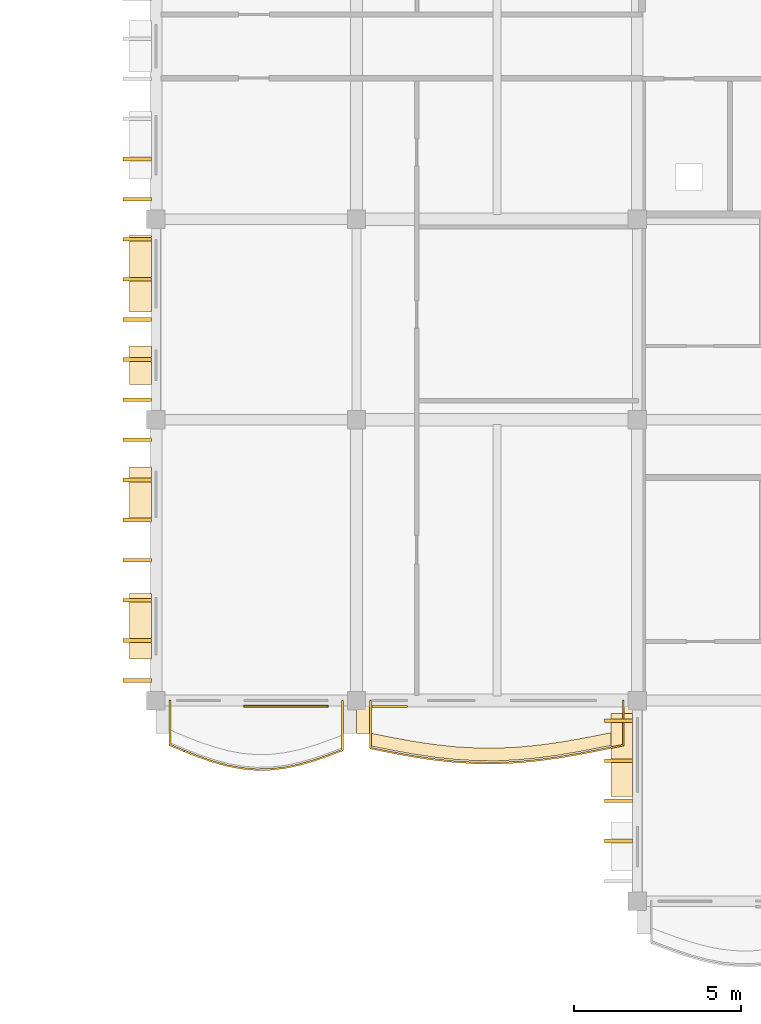
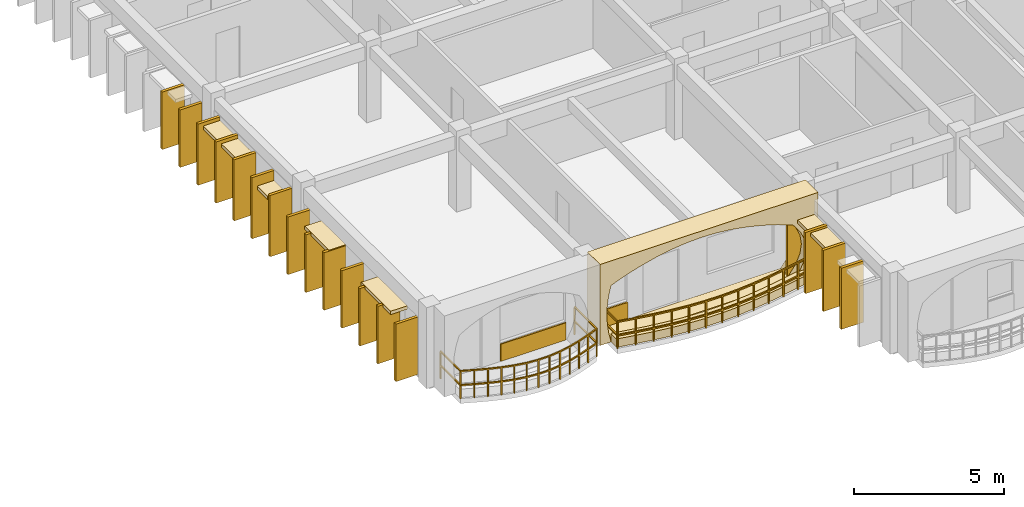
# One storey, part 61 of 70: 27 coverings, 2 railings.
"""IFC4 building model written with IfcOpenShell, lengths in metres."""

from ifc_helpers import new_model, si_unit, direction, frame, origin, origin_2d, place, context, subcontext, project, spatial, polyline, rectangle, outline, extrude, material, layer, layer_set, type_object, element, save


model = new_model("IFC4")

# Units and contexts
model_context = context("Model", 3, precision=1e-05, world=origin(), true_north=direction((0.0, 1.0)))
body_context = subcontext(model_context, "Body", "Model", "MODEL_VIEW")
ifc_project = project(units=[si_unit("LENGTHUNIT", "METRE"), si_unit("AREAUNIT", "SQUARE_METRE"), si_unit("VOLUMEUNIT", "CUBIC_METRE"), si_unit("PLANEANGLEUNIT", "RADIAN"), si_unit("MASSUNIT", "GRAM", prefix="KILO"), si_unit("THERMODYNAMICTEMPERATUREUNIT", "KELVIN")], contexts=[model_context])

# Site, building, storey
site_placement = place(None, origin())
site = spatial("IfcSite", under=ifc_project, at=site_placement, CompositionType="ELEMENT")
building_placement = place(site_placement, origin())
building = spatial("IfcBuilding", under=site, at=building_placement, Name="Thalorik Housing Commons", CompositionType="ELEMENT")
storey_placement = place(building_placement, frame((0.0, 0.0, 14.699951171875)))
storey = spatial("IfcBuildingStorey", under=building, at=storey_placement, Name="L04", CompositionType="ELEMENT", Elevation=14.699951171875)

# Coverings
ifc_material_1 = material(Name="Cobalt blue glazed ceramic facade tile panel", Category="masonry")
ifc_layer_1 = layer(ifc_material_1, 0.06005859375, Name="Cobalt blue glazed ceramic facade tile panel", Category="masonry")
ifc_layer_set_1 = layer_set([ifc_layer_1], Name="Cobalt blue glazed ceramic facade tile panel")
covering_type_1 = type_object("IfcCoveringType", Name="ARC-CLD-BLU-60", PredefinedType="CLADDING", material=ifc_layer_set_1)
covering_1_placement = place(storey_placement, frame((144.9951171875, 43.027587890625, 0.05029296875), z_axis=(0.0, 0.0, 1.0), x_axis=(1.0, 0.0, 0.0)))
element("IfcCovering", 1, at=covering_1_placement, inside=storey, type_object=covering_type_1, Name="L04 De Stijl Recessed Window Spandrel 4811", PredefinedType="CLADDING", context=body_context, shape_type="SweptSolid", body=[
    extrude(rectangle(XDim=1.050048828125, YDim=0.06005859375, at=origin_2d()), origin(), (0.0, 0.0, 1.0), 0.699951171875),
])
ifc_material_2 = material(Name="Precast concrete C40/50", Category="concrete")
ifc_layer_2 = layer(ifc_material_2, 0.85009765625, Name="Precast concrete C40/50", Category="concrete")
ifc_layer_set_2 = layer_set([ifc_layer_2], Name="Precast concrete C40/50")
covering_type_2 = type_object("IfcCoveringType", Name="ARC-CLD-CUSH-850", PredefinedType="CLADDING", material=ifc_layer_set_2)
covering_2_placement = place(storey_placement, frame((148.199951171875, 42.637451171875, 0.0), z_axis=(0.0, 0.0, 1.0), x_axis=(1.0, 0.0, 0.0)))
element("IfcCovering", 2, at=covering_2_placement, inside=storey, type_object=covering_type_2, Name="L04 White Precast Curved Cushion Bay Frame 4810", PredefinedType="CLADDING", context=body_context, shape_type="SweptSolid", body=[
    extrude(outline(polyline([(-4.199951171875, 0.0), (4.199951171875, 0.0), (4.199951171875, 3.300048828125), (-4.199951171875, 3.300048828125), (-4.199951171875, 0.0)]), holes=[polyline([(3.239990234375, 0.02490234375), (3.523193359375, 0.404296875), (3.693359375, 0.783203125), (3.75, 1.16259765625), (3.693359375, 1.541748046875), (3.523193359375, 1.9208984375), (3.239990234375, 2.300048828125), (2.655029296875, 2.525390625), (2.070068359375, 2.7021484375), (1.485107421875, 2.845458984375), (0.89990234375, 2.951904296875), (0.31494140625, 3.017822265625), (-0.27001953125, 3.0400390625), (-0.85498046875, 3.017822265625), (-1.43994140625, 2.951904296875), (-2.02490234375, 2.845458984375), (-2.610107421875, 2.7021484375), (-3.195068359375, 2.525390625), (-3.780029296875, 2.300048828125), (-3.86865234375, 1.9208984375), (-3.921875, 1.541748046875), (-3.939697265625, 1.16259765625), (-3.921875, 0.783203125), (-3.86865234375, 0.404296875), (-3.780029296875, 0.02490234375), (3.239990234375, 0.02490234375)])]), frame((0.0, 0.425048828125, 0.0), z_axis=(0.0, -1.0, 0.0), x_axis=(1.0, 0.0, 0.0)), (0.0, 0.0, 1.0), 0.85009765625),
])
ifc_layer_3 = layer(ifc_material_2, 0.85009765625, Name="Precast concrete C40/50", Category="concrete")
ifc_layer_set_3 = layer_set([ifc_layer_3], Name="Precast concrete C40/50")
covering_type_3 = type_object("IfcCoveringType", Name="ARC-CLD-FIN-850", PredefinedType="CLADDING", material=ifc_layer_set_3)
for number, where, z_axis, x_axis, name in (
    (3, (137.4375, 59.39990234375, 0.0400390625), (0.0, 0.0, 1.0), (0.0, -1.0, 0.0), "L04 Courtyard Precast Vertical Brise-Soleil Fin 4787"),
    (4, (137.4375, 58.199951171875, 0.0400390625), (0.0, 0.0, 1.0), (0.0, -1.0, 0.0), "L04 Courtyard Precast Vertical Brise-Soleil Fin 4788"),
):
    element("IfcCovering", number, at=place(storey_placement, frame(where, z_axis=z_axis, x_axis=x_axis)), inside=storey, type_object=covering_type_3, Name=name, PredefinedType="CLADDING", context=body_context, shape_type="SweptSolid", body=[
        extrude(rectangle(XDim=0.110107421875, YDim=0.85009765625, at=origin_2d()), origin(), (0.0, 0.0, 1.0), 2.344970703125),
    ])
for number, where, z_axis, x_axis, name in (
    (5, (137.4375, 57.0, 0.0400390625), (0.0, 0.0, 1.0), (0.0, -1.0, 0.0), "L04 Courtyard Precast Vertical Brise-Soleil Fin 4792"),
    (6, (137.4375, 55.800048828125, 0.0400390625), (0.0, 0.0, 1.0), (0.0, -1.0, 0.0), "L04 Courtyard Precast Vertical Brise-Soleil Fin 4793"),
    (7, (137.4375, 54.60009765625, 0.0400390625), (0.0, 0.0, 1.0), (0.0, -1.0, 0.0), "L04 Courtyard Precast Vertical Brise-Soleil Fin 4794"),
    (8, (137.4375, 53.39990234375, 0.0400390625), (0.0, 0.0, 1.0), (0.0, -1.0, 0.0), "L04 Courtyard Precast Vertical Brise-Soleil Fin 4795"),
    (9, (137.4375, 52.199951171875, 0.0400390625), (0.0, 0.0, 1.0), (0.0, -1.0, 0.0), "L04 Courtyard Precast Vertical Brise-Soleil Fin 4796"),
):
    element("IfcCovering", number, at=place(storey_placement, frame(where, z_axis=z_axis, x_axis=x_axis)), inside=storey, type_object=covering_type_3, Name=name, PredefinedType="CLADDING", context=body_context, shape_type="SweptSolid", body=[
        extrude(rectangle(XDim=0.110107421875, YDim=0.85009765625, at=origin_2d()), origin(), (0.0, 0.0, 1.0), 2.4951171875),
    ])
for number, where, z_axis, x_axis, name in (
    (10, (137.4375, 51.0, 0.0400390625), (0.0, 0.0, 1.0), (0.0, -1.0, 0.0), "L04 Courtyard Precast Vertical Brise-Soleil Fin 4799"),
    (11, (137.4375, 49.800048828125, 0.0400390625), (0.0, 0.0, 1.0), (0.0, -1.0, 0.0), "L04 Courtyard Precast Vertical Brise-Soleil Fin 4800"),
    (12, (137.4375, 48.60009765625, 0.0400390625), (0.0, 0.0, 1.0), (0.0, -1.0, 0.0), "L04 Courtyard Precast Vertical Brise-Soleil Fin 4801"),
    (13, (137.4375, 47.39990234375, 0.0400390625), (0.0, 0.0, 1.0), (0.0, -1.0, 0.0), "L04 Courtyard Precast Vertical Brise-Soleil Fin 4802"),
    (14, (137.4375, 46.199951171875, 0.0400390625), (0.0, 0.0, 1.0), (0.0, -1.0, 0.0), "L04 Courtyard Precast Vertical Brise-Soleil Fin 4803"),
    (15, (137.4375, 45.0, 0.0400390625), (0.0, 0.0, 1.0), (0.0, -1.0, 0.0), "L04 Courtyard Precast Vertical Brise-Soleil Fin 4804"),
    (16, (137.4375, 43.800048828125, 0.0400390625), (0.0, 0.0, 1.0), (0.0, -1.0, 0.0), "L04 Courtyard Precast Vertical Brise-Soleil Fin 4805"),
):
    element("IfcCovering", number, at=place(storey_placement, frame(where, z_axis=z_axis, x_axis=x_axis)), inside=storey, type_object=covering_type_3, Name=name, PredefinedType="CLADDING", context=body_context, shape_type="SweptSolid", body=[
        extrude(rectangle(XDim=0.110107421875, YDim=0.85009765625, at=origin_2d()), origin(), (0.0, 0.0, 1.0), 2.344970703125),
    ])
for number, where, z_axis, x_axis, name in (
    (17, (151.83740234375, 42.60009765625, 0.0400390625), (0.0, 0.0, 1.0), (0.0, -1.0, 0.0), "L04 Courtyard Precast Vertical Brise-Soleil Fin 4812"),
    (18, (151.83740234375, 41.39990234375, 0.0400390625), (0.0, 0.0, 1.0), (0.0, -1.0, 0.0), "L04 Courtyard Precast Vertical Brise-Soleil Fin 4813"),
    (19, (151.83740234375, 40.199951171875, 0.0400390625), (0.0, 0.0, 1.0), (0.0, -1.0, 0.0), "L04 Courtyard Precast Vertical Brise-Soleil Fin 4814"),
    (20, (151.83740234375, 39.0, 0.0400390625), (0.0, 0.0, 1.0), (0.0, -1.0, 0.0), "L04 Courtyard Precast Vertical Brise-Soleil Fin 4815"),
):
    element("IfcCovering", number, at=place(storey_placement, frame(where, z_axis=z_axis, x_axis=x_axis)), inside=storey, type_object=covering_type_3, Name=name, PredefinedType="CLADDING", context=body_context, shape_type="SweptSolid", body=[
        extrude(rectangle(XDim=0.110107421875, YDim=0.85009765625, at=origin_2d()), origin(), (0.0, 0.0, 1.0), 2.4951171875),
    ])
ifc_layer_4 = layer(ifc_material_2, 0.64990234375, Name="Precast concrete C40/50", Category="concrete")
ifc_layer_set_4 = layer_set([ifc_layer_4], Name="Precast concrete C40/50")
covering_type_4 = type_object("IfcCoveringType", Name="ARC-CLD-HOOD-650", PredefinedType="CLADDING", material=ifc_layer_set_4)
covering_3_placement = place(storey_placement, frame((137.53759765625, 55.969970703125, 2.25), z_axis=(0.0, 0.0, 1.0), x_axis=(0.0, -1.0, 0.0)))
element("IfcCovering", 21, at=covering_3_placement, inside=storey, type_object=covering_type_4, Name="L04 Courtyard Precast Window Sun-Hood 4797", PredefinedType="CLADDING", context=body_context, shape_type="SweptSolid", body=[
    extrude(rectangle(XDim=2.280029296875, YDim=0.64990234375, at=origin_2d()), origin(), (0.0, 0.0, 1.0), 0.139892578125),
])
covering_4_placement = place(storey_placement, frame((137.53759765625, 53.22998046875, 1.990234375), z_axis=(0.0, 0.0, 1.0), x_axis=(0.0, -1.0, 0.0)))
element("IfcCovering", 22, at=covering_4_placement, inside=storey, type_object=covering_type_4, Name="L04 Courtyard Precast Window Sun-Hood 4798", PredefinedType="CLADDING", context=body_context, shape_type="SweptSolid", body=[
    extrude(rectangle(XDim=1.139892578125, YDim=0.64990234375, at=origin_2d()), origin(), (0.0, 0.0, 1.0), 0.139892578125),
])
covering_5_placement = place(storey_placement, frame((137.53759765625, 49.3701171875, 2.27001953125), z_axis=(0.0, 0.0, 1.0), x_axis=(0.0, -1.0, 0.0)))
element("IfcCovering", 23, at=covering_5_placement, inside=storey, type_object=covering_type_4, Name="L04 Courtyard Precast Window Sun-Hood 4806", PredefinedType="CLADDING", context=body_context, shape_type="SweptSolid", body=[
    extrude(rectangle(XDim=1.6201171875, YDim=0.64990234375, at=origin_2d()), origin(), (0.0, 0.0, 1.0), 0.139892578125),
])
covering_6_placement = place(storey_placement, frame((137.53759765625, 45.429931640625, 2.27490234375), z_axis=(0.0, 0.0, 1.0), x_axis=(0.0, -1.0, 0.0)))
element("IfcCovering", 24, at=covering_6_placement, inside=storey, type_object=covering_type_4, Name="L04 Courtyard Precast Window Sun-Hood 4807", PredefinedType="CLADDING", context=body_context, shape_type="SweptSolid", body=[
    extrude(rectangle(XDim=1.9599609375, YDim=0.64990234375, at=origin_2d()), origin(), (0.0, 0.0, 1.0), 0.139892578125),
])
covering_7_placement = place(storey_placement, frame((151.9375, 41.570068359375, 2.31005859375), z_axis=(0.0, 0.0, 1.0), x_axis=(0.0, -1.0, 0.0)))
element("IfcCovering", 25, at=covering_7_placement, inside=storey, type_object=covering_type_4, Name="L04 Courtyard Precast Window Sun-Hood 4817", PredefinedType="CLADDING", context=body_context, shape_type="SweptSolid", body=[
    extrude(rectangle(XDim=2.47998046875, YDim=0.64990234375, at=origin_2d()), origin(), (0.0, 0.0, 1.0), 0.139892578125),
])
ifc_material_3 = material(Name="Terracotta red mineral fibre-cement panel", Category="masonry")
ifc_layer_5 = layer(ifc_material_3, 0.054931640625, Name="Terracotta red mineral fibre-cement panel", Category="masonry")
ifc_layer_set_5 = layer_set([ifc_layer_5], Name="Terracotta red mineral fibre-cement panel")
covering_type_5 = type_object("IfcCoveringType", Name="ARC-CLD-RED-55", PredefinedType="CLADDING", material=ifc_layer_set_5)
covering_8_placement = place(storey_placement, frame((141.889892578125, 43.030029296875, 0.05029296875), z_axis=(0.0, 0.0, 1.0), x_axis=(1.0, 0.0, 0.0)))
element("IfcCovering", 26, at=covering_8_placement, inside=storey, type_object=covering_type_5, Name="L04 De Stijl Recessed Window Spandrel 4809", PredefinedType="CLADDING", context=body_context, shape_type="SweptSolid", body=[
    extrude(rectangle(XDim=2.52001953125, YDim=0.054931640625, at=origin_2d()), origin(), (0.0, 0.0, 1.0), 0.699951171875),
])
ifc_material_4 = material(Name="Planted vegetated substrate and terracotta trough", Category="masonry")
ifc_layer_6 = layer(ifc_material_4, 0.340087890625, Name="Planted vegetated substrate and terracotta trough", Category="masonry")
ifc_layer_set_6 = layer_set([ifc_layer_6], Name="Planted vegetated substrate and terracotta trough")
covering_type_6 = type_object("IfcCoveringType", Name="ARC-COV-PLANTER", PredefinedType="USERDEFINED", material=ifc_layer_set_6)
covering_9_placement = place(storey_placement, origin())
element("IfcCovering", 27, at=covering_9_placement, inside=storey, type_object=covering_type_6, Name="L04 Balcony Slab-Edge Planted Trough 5674", ObjectType="PLANTER", PredefinedType="USERDEFINED", context=body_context, shape_type="SweptSolid", body=[
    extrude(outline(polyline([(144.419921875, 41.846923828125), (145.050048828125, 41.719482421875), (145.679931640625, 41.604248046875), (146.31005859375, 41.509521484375), (146.93994140625, 41.44091796875), (147.570068359375, 41.4033203125), (148.199951171875, 41.39892578125), (148.830078125, 41.427978515625), (149.4599609375, 41.488525390625), (150.090087890625, 41.576416015625), (150.719970703125, 41.685546875), (151.35009765625, 41.80859375), (151.97998046875, 41.937744140625), (151.97998046875, 42.31787109375), (151.35009765625, 42.188720703125), (150.719970703125, 42.0654296875), (150.090087890625, 41.956298828125), (149.4599609375, 41.868408203125), (148.830078125, 41.80810546875), (148.199951171875, 41.77880859375), (147.570068359375, 41.783203125), (146.93994140625, 41.82080078125), (146.31005859375, 41.889404296875), (145.679931640625, 41.984375), (145.050048828125, 42.099365234375), (144.419921875, 42.22705078125), (144.419921875, 41.846923828125)])), origin(), (0.0, 0.0, 1.0), 0.340087890625),
])

# Railings
ifc_material_5 = material(Name="Steel S355", Category="steel")
railing_type_1 = type_object("IfcRailingType", Name="ARC-RL-BAL-112", PredefinedType="BALUSTRADE", material=ifc_material_5)
railing_1_placement = place(storey_placement, frame((144.419921875, 43.199951171875, 0.0)))
element("IfcRailing", 28, at=railing_1_placement, inside=storey, type_object=railing_type_1, Name="L04 Cushion Balcony Guardrail 358", PredefinedType="BALUSTRADE", context=body_context, shape_type="SweptSolid", body=[
    extrude(rectangle(XDim=0.050048828125, YDim=0.050048828125, at=origin_2d()), frame((0.0, 0.0, 1.09521484375), z_axis=(0.0, -1.0, 0.0), x_axis=(1.0, 0.0, 0.0)), (0.0, 0.0, 1.0), 1.4228515625),
    extrude(rectangle(XDim=0.050048828125, YDim=0.050048828125, at=origin_2d()), frame((0.0, 0.0, 0.53515625), z_axis=(0.0, -1.0, 0.0), x_axis=(1.0, 0.0, 0.0)), (0.0, 0.0, 1.0), 1.4228515625),
    extrude(rectangle(XDim=0.050048828125, YDim=0.050048828125, at=origin_2d()), frame((0.0, -1.4228515625, 1.09521484375), z_axis=(0.980080963484, -0.198598350989, 0.0), x_axis=(0.198598350989, 0.980080963484, 0.0)), (0.0, 0.0, 1.0), 0.642822265625),
    extrude(rectangle(XDim=0.050048828125, YDim=0.050048828125, at=origin_2d()), frame((0.0, -1.4228515625, 0.53515625), z_axis=(0.980080963484, -0.198598350989, 0.0), x_axis=(0.198598350989, 0.980080963484, 0.0)), (0.0, 0.0, 1.0), 0.642822265625),
    extrude(rectangle(XDim=0.050048828125, YDim=0.050048828125, at=origin_2d()), frame((0.630126953125, -1.550537109375, 1.09521484375), z_axis=(0.983674114538, -0.179958985295, 0.0), x_axis=(0.179958985295, 0.983674114538, 0.0)), (0.0, 0.0, 1.0), 0.640380859375),
    extrude(rectangle(XDim=0.050048828125, YDim=0.050048828125, at=origin_2d()), frame((0.630126953125, -1.550537109375, 0.53515625), z_axis=(0.983674114538, -0.179958985295, 0.0), x_axis=(0.179958985295, 0.983674114538, 0.0)), (0.0, 0.0, 1.0), 0.640380859375),
    extrude(rectangle(XDim=0.050048828125, YDim=0.050048828125, at=origin_2d()), frame((1.260009765625, -1.665771484375, 1.09521484375), z_axis=(0.988888525973, -0.148658949274, 0.0), x_axis=(0.148658949274, 0.988888525973, 0.0)), (0.0, 0.0, 1.0), 0.63720703125),
    extrude(rectangle(XDim=0.050048828125, YDim=0.050048828125, at=origin_2d()), frame((1.260009765625, -1.665771484375, 0.53515625), z_axis=(0.988888525973, -0.148658949274, 0.0), x_axis=(0.148658949274, 0.988888525973, 0.0)), (0.0, 0.0, 1.0), 0.63720703125),
    extrude(rectangle(XDim=0.050048828125, YDim=0.050048828125, at=origin_2d()), frame((1.89013671875, -1.760498046875, 1.09521484375), z_axis=(0.994121043518, -0.108274423732, 0.0), x_axis=(0.108274423732, 0.994121043518, 0.0)), (0.0, 0.0, 1.0), 0.633544921875),
    extrude(rectangle(XDim=0.050048828125, YDim=0.050048828125, at=origin_2d()), frame((1.89013671875, -1.760498046875, 0.53515625), z_axis=(0.994121043518, -0.108274423732, 0.0), x_axis=(0.108274423732, 0.994121043518, 0.0)), (0.0, 0.0, 1.0), 0.633544921875),
    extrude(rectangle(XDim=0.050048828125, YDim=0.050048828125, at=origin_2d()), frame((2.52001953125, -1.8291015625, 1.09521484375), z_axis=(0.998224675619, -0.059560867898, 0.0), x_axis=(0.059560867898, 0.998224675619, 0.0)), (0.0, 0.0, 1.0), 0.63134765625),
    extrude(rectangle(XDim=0.050048828125, YDim=0.050048828125, at=origin_2d()), frame((2.52001953125, -1.8291015625, 0.53515625), z_axis=(0.998224675619, -0.059560867898, 0.0), x_axis=(0.059560867898, 0.998224675619, 0.0)), (0.0, 0.0, 1.0), 0.63134765625),
    extrude(rectangle(XDim=0.050048828125, YDim=0.050048828125, at=origin_2d()), frame((3.150146484375, -1.86669921875, 1.09521484375), z_axis=(0.999975663409, -0.006976574396, 0.0), x_axis=(0.006976574396, 0.999975663409, 0.0)), (0.0, 0.0, 1.0), 0.6298828125),
    extrude(rectangle(XDim=0.050048828125, YDim=0.050048828125, at=origin_2d()), frame((3.150146484375, -1.86669921875, 0.53515625), z_axis=(0.999975663409, -0.006976574396, 0.0), x_axis=(0.006976574396, 0.999975663409, 0.0)), (0.0, 0.0, 1.0), 0.6298828125),
    extrude(rectangle(XDim=0.050048828125, YDim=0.050048828125, at=origin_2d()), frame((3.780029296875, -1.87109375, 1.09521484375), z_axis=(0.99893880259, 0.046057232665, 0.0), x_axis=(-0.046057232665, 0.99893880259, 0.0)), (0.0, 0.0, 1.0), 0.630859375),
    extrude(rectangle(XDim=0.050048828125, YDim=0.050048828125, at=origin_2d()), frame((3.780029296875, -1.87109375, 0.53515625), z_axis=(0.99893880259, 0.046057232665, 0.0), x_axis=(-0.046057232665, 0.99893880259, 0.0)), (0.0, 0.0, 1.0), 0.630859375),
    extrude(rectangle(XDim=0.050048828125, YDim=0.050048828125, at=origin_2d()), frame((4.41015625, -1.842041015625, 1.09521484375), z_axis=(0.995411856211, 0.095683000132, 0.0), x_axis=(-0.095683000132, 0.995411856211, 0.0)), (0.0, 0.0, 1.0), 0.6328125),
    extrude(rectangle(XDim=0.050048828125, YDim=0.050048828125, at=origin_2d()), frame((4.41015625, -1.842041015625, 0.53515625), z_axis=(0.995411856211, 0.095683000132, 0.0), x_axis=(-0.095683000132, 0.995411856211, 0.0)), (0.0, 0.0, 1.0), 0.6328125),
    extrude(rectangle(XDim=0.050048828125, YDim=0.050048828125, at=origin_2d()), frame((5.0400390625, -1.781494140625, 1.09521484375), z_axis=(0.990412222541, 0.138143510312, 0.0), x_axis=(-0.138143510312, 0.990412222541, 0.0)), (0.0, 0.0, 1.0), 0.63623046875),
    extrude(rectangle(XDim=0.050048828125, YDim=0.050048828125, at=origin_2d()), frame((5.0400390625, -1.781494140625, 0.53515625), z_axis=(0.990412222541, 0.138143510312, 0.0), x_axis=(-0.138143510312, 0.990412222541, 0.0)), (0.0, 0.0, 1.0), 0.63623046875),
    extrude(rectangle(XDim=0.050048828125, YDim=0.050048828125, at=origin_2d()), frame((5.670166015625, -1.693603515625, 1.09521484375), z_axis=(0.985320870893, 0.170712569492, 0.0), x_axis=(-0.170712569492, 0.985320870893, 0.0)), (0.0, 0.0, 1.0), 0.63916015625),
    extrude(rectangle(XDim=0.050048828125, YDim=0.050048828125, at=origin_2d()), frame((5.670166015625, -1.693603515625, 0.53515625), z_axis=(0.985320870893, 0.170712569492, 0.0), x_axis=(-0.170712569492, 0.985320870893, 0.0)), (0.0, 0.0, 1.0), 0.63916015625),
    extrude(rectangle(XDim=0.050048828125, YDim=0.050048828125, at=origin_2d()), frame((6.300048828125, -1.58447265625, 1.09521484375), z_axis=(0.98139109719, 0.192019567641, 0.0), x_axis=(-0.192019567641, 0.98139109719, 0.0)), (0.0, 0.0, 1.0), 0.64208984375),
    extrude(rectangle(XDim=0.050048828125, YDim=0.050048828125, at=origin_2d()), frame((6.300048828125, -1.58447265625, 0.53515625), z_axis=(0.98139109719, 0.192019567641, 0.0), x_axis=(-0.192019567641, 0.98139109719, 0.0)), (0.0, 0.0, 1.0), 0.64208984375),
    extrude(rectangle(XDim=0.050048828125, YDim=0.050048828125, at=origin_2d()), frame((6.93017578125, -1.461181640625, 1.09521484375), z_axis=(0.979619945128, 0.200860058517, 0.0), x_axis=(-0.200860058517, 0.979619945128, 0.0)), (0.0, 0.0, 1.0), 0.64306640625),
    extrude(rectangle(XDim=0.050048828125, YDim=0.050048828125, at=origin_2d()), frame((6.93017578125, -1.461181640625, 0.53515625), z_axis=(0.979619945128, 0.200860058517, 0.0), x_axis=(-0.200860058517, 0.979619945128, 0.0)), (0.0, 0.0, 1.0), 0.64306640625),
    extrude(rectangle(XDim=0.050048828125, YDim=0.050048828125, at=origin_2d()), frame((7.56005859375, -1.33203125, 1.09521484375), z_axis=(0.0, 1.0, 0.0), x_axis=(-1.0, 0.0, 0.0)), (0.0, 0.0, 1.0), 1.33203125),
    extrude(rectangle(XDim=0.050048828125, YDim=0.050048828125, at=origin_2d()), frame((7.56005859375, -1.33203125, 0.53515625), z_axis=(0.0, 1.0, 0.0), x_axis=(-1.0, 0.0, 0.0)), (0.0, 0.0, 1.0), 1.33203125),
    extrude(rectangle(XDim=0.0419921875, YDim=0.0419921875, at=origin_2d()), origin(), (0.0, 0.0, 1.0), 1.070068359375),
    extrude(rectangle(XDim=0.0419921875, YDim=0.0419921875, at=origin_2d()), frame((0.0, -1.4228515625, 0.0)), (0.0, 0.0, 1.0), 1.070068359375),
    extrude(rectangle(XDim=0.0419921875, YDim=0.0419921875, at=origin_2d()), frame((0.630126953125, -1.550537109375, 0.0)), (0.0, 0.0, 1.0), 1.070068359375),
    extrude(rectangle(XDim=0.0419921875, YDim=0.0419921875, at=origin_2d()), frame((1.260009765625, -1.665771484375, 0.0)), (0.0, 0.0, 1.0), 1.070068359375),
    extrude(rectangle(XDim=0.0419921875, YDim=0.0419921875, at=origin_2d()), frame((1.89013671875, -1.760498046875, 0.0)), (0.0, 0.0, 1.0), 1.070068359375),
    extrude(rectangle(XDim=0.0419921875, YDim=0.0419921875, at=origin_2d()), frame((2.52001953125, -1.8291015625, 0.0)), (0.0, 0.0, 1.0), 1.070068359375),
    extrude(rectangle(XDim=0.0419921875, YDim=0.0419921875, at=origin_2d()), frame((3.150146484375, -1.86669921875, 0.0)), (0.0, 0.0, 1.0), 1.070068359375),
    extrude(rectangle(XDim=0.0419921875, YDim=0.0419921875, at=origin_2d()), frame((3.780029296875, -1.87109375, 0.0)), (0.0, 0.0, 1.0), 1.070068359375),
    extrude(rectangle(XDim=0.0419921875, YDim=0.0419921875, at=origin_2d()), frame((4.41015625, -1.842041015625, 0.0)), (0.0, 0.0, 1.0), 1.070068359375),
    extrude(rectangle(XDim=0.0419921875, YDim=0.0419921875, at=origin_2d()), frame((5.0400390625, -1.781494140625, 0.0)), (0.0, 0.0, 1.0), 1.070068359375),
    extrude(rectangle(XDim=0.0419921875, YDim=0.0419921875, at=origin_2d()), frame((5.670166015625, -1.693603515625, 0.0)), (0.0, 0.0, 1.0), 1.070068359375),
    extrude(rectangle(XDim=0.0419921875, YDim=0.0419921875, at=origin_2d()), frame((6.300048828125, -1.58447265625, 0.0)), (0.0, 0.0, 1.0), 1.070068359375),
    extrude(rectangle(XDim=0.0419921875, YDim=0.0419921875, at=origin_2d()), frame((6.93017578125, -1.461181640625, 0.0)), (0.0, 0.0, 1.0), 1.070068359375),
    extrude(rectangle(XDim=0.0419921875, YDim=0.0419921875, at=origin_2d()), frame((7.56005859375, -1.33203125, 0.0)), (0.0, 0.0, 1.0), 1.070068359375),
    extrude(rectangle(XDim=0.0419921875, YDim=0.0419921875, at=origin_2d()), frame((7.56005859375, 0.0, 0.0)), (0.0, 0.0, 1.0), 1.070068359375),
])
railing_type_2 = type_object("IfcRailingType", Name="ARC-RL-BAL-115", PredefinedType="BALUSTRADE", material=ifc_material_5)
railing_2_placement = place(storey_placement, frame((138.419921875, 43.199951171875, 0.0)))
element("IfcRailing", 29, at=railing_2_placement, inside=storey, type_object=railing_type_2, Name="L04 Cushion Balcony Guardrail 357", PredefinedType="BALUSTRADE", context=body_context, shape_type="SweptSolid", body=[
    extrude(rectangle(XDim=0.050048828125, YDim=0.050048828125, at=origin_2d()), frame((0.0, 0.0, 1.125), z_axis=(0.0, -1.0, 0.0), x_axis=(1.0, 0.0, 0.0)), (0.0, 0.0, 1.0), 1.329345703125),
    extrude(rectangle(XDim=0.050048828125, YDim=0.050048828125, at=origin_2d()), frame((0.0, 0.0, 0.5498046875), z_axis=(0.0, -1.0, 0.0), x_axis=(1.0, 0.0, 0.0)), (0.0, 0.0, 1.0), 1.329345703125),
    extrude(rectangle(XDim=0.050048828125, YDim=0.050048828125, at=origin_2d()), frame((0.0, -1.329345703125, 1.125), z_axis=(0.922549378701, -0.385879053407, 0.0), x_axis=(0.385879053407, 0.922549378701, 0.0)), (0.0, 0.0, 1.0), 0.46630859375),
    extrude(rectangle(XDim=0.050048828125, YDim=0.050048828125, at=origin_2d()), frame((0.0, -1.329345703125, 0.5498046875), z_axis=(0.922549378701, -0.385879053407, 0.0), x_axis=(0.385879053407, 0.922549378701, 0.0)), (0.0, 0.0, 1.0), 0.46630859375),
    extrude(rectangle(XDim=0.050048828125, YDim=0.050048828125, at=origin_2d()), frame((0.43017578125, -1.50927734375, 1.125), z_axis=(0.929998507848, -0.367563294414, 0.0), x_axis=(0.367563294414, 0.929998507848, 0.0)), (0.0, 0.0, 1.0), 0.46240234375),
    extrude(rectangle(XDim=0.050048828125, YDim=0.050048828125, at=origin_2d()), frame((0.43017578125, -1.50927734375, 0.5498046875), z_axis=(0.929998507848, -0.367563294414, 0.0), x_axis=(0.367563294414, 0.929998507848, 0.0)), (0.0, 0.0, 1.0), 0.46240234375),
    extrude(rectangle(XDim=0.050048828125, YDim=0.050048828125, at=origin_2d()), frame((0.860107421875, -1.67919921875, 1.125), z_axis=(0.945081740918, -0.326834060317, 0.0), x_axis=(0.326834060317, 0.945081740918, 0.0)), (0.0, 0.0, 1.0), 0.454833984375),
    extrude(rectangle(XDim=0.050048828125, YDim=0.050048828125, at=origin_2d()), frame((0.860107421875, -1.67919921875, 0.5498046875), z_axis=(0.945081740918, -0.326834060317, 0.0), x_axis=(0.326834060317, 0.945081740918, 0.0)), (0.0, 0.0, 1.0), 0.454833984375),
    extrude(rectangle(XDim=0.050048828125, YDim=0.050048828125, at=origin_2d()), frame((1.2900390625, -1.827880859375, 1.125), z_axis=(0.963963579326, -0.266034241654, 0.0), x_axis=(0.266034241654, 0.963963579326, 0.0)), (0.0, 0.0, 1.0), 0.446044921875),
    extrude(rectangle(XDim=0.050048828125, YDim=0.050048828125, at=origin_2d()), frame((1.2900390625, -1.827880859375, 0.5498046875), z_axis=(0.963963579326, -0.266034241654, 0.0), x_axis=(0.266034241654, 0.963963579326, 0.0)), (0.0, 0.0, 1.0), 0.446044921875),
    extrude(rectangle(XDim=0.050048828125, YDim=0.050048828125, at=origin_2d()), frame((1.719970703125, -1.946533203125, 1.125), z_axis=(0.982910057023, -0.184086446548, 0.0), x_axis=(0.184086446548, 0.982910057023, 0.0)), (0.0, 0.0, 1.0), 0.437744140625),
    extrude(rectangle(XDim=0.050048828125, YDim=0.050048828125, at=origin_2d()), frame((1.719970703125, -1.946533203125, 0.5498046875), z_axis=(0.982910057023, -0.184086446548, 0.0), x_axis=(0.184086446548, 0.982910057023, 0.0)), (0.0, 0.0, 1.0), 0.437744140625),
    extrude(rectangle(XDim=0.050048828125, YDim=0.050048828125, at=origin_2d()), frame((2.150146484375, -2.027099609375, 1.125), z_axis=(0.996148763572, -0.087679192705, 0.0), x_axis=(0.087679192705, 0.996148763572, 0.0)), (0.0, 0.0, 1.0), 0.431640625),
    extrude(rectangle(XDim=0.050048828125, YDim=0.050048828125, at=origin_2d()), frame((2.150146484375, -2.027099609375, 0.5498046875), z_axis=(0.996148763572, -0.087679192705, 0.0), x_axis=(0.087679192705, 0.996148763572, 0.0)), (0.0, 0.0, 1.0), 0.431640625),
    extrude(rectangle(XDim=0.050048828125, YDim=0.050048828125, at=origin_2d()), frame((2.580078125, -2.06494140625, 1.125), z_axis=(0.999882482577, 0.015330395815, 0.0), x_axis=(-0.015330395815, 0.999882482577, 0.0)), (0.0, 0.0, 1.0), 0.429931640625),
    extrude(rectangle(XDim=0.050048828125, YDim=0.050048828125, at=origin_2d()), frame((2.580078125, -2.06494140625, 0.5498046875), z_axis=(0.999882482577, 0.015330395815, 0.0), x_axis=(-0.015330395815, 0.999882482577, 0.0)), (0.0, 0.0, 1.0), 0.429931640625),
    extrude(rectangle(XDim=0.050048828125, YDim=0.050048828125, at=origin_2d()), frame((3.010009765625, -2.058349609375, 1.125), z_axis=(0.993234994494, 0.116121684941, 0.0), x_axis=(-0.116121684941, 0.993234994494, 0.0)), (0.0, 0.0, 1.0), 0.43310546875),
    extrude(rectangle(XDim=0.050048828125, YDim=0.050048828125, at=origin_2d()), frame((3.010009765625, -2.058349609375, 0.5498046875), z_axis=(0.993234994494, 0.116121684941, 0.0), x_axis=(-0.116121684941, 0.993234994494, 0.0)), (0.0, 0.0, 1.0), 0.43310546875),
    extrude(rectangle(XDim=0.050048828125, YDim=0.050048828125, at=origin_2d()), frame((3.440185546875, -2.008056640625, 1.125), z_axis=(0.978632254484, 0.205618361249, 0.0), x_axis=(-0.205618361249, 0.978632254484, 0.0)), (0.0, 0.0, 1.0), 0.439208984375),
    extrude(rectangle(XDim=0.050048828125, YDim=0.050048828125, at=origin_2d()), frame((3.440185546875, -2.008056640625, 0.5498046875), z_axis=(0.978632254484, 0.205618361249, 0.0), x_axis=(-0.205618361249, 0.978632254484, 0.0)), (0.0, 0.0, 1.0), 0.439208984375),
    extrude(rectangle(XDim=0.050048828125, YDim=0.050048828125, at=origin_2d()), frame((3.8701171875, -1.917724609375, 1.125), z_axis=(0.960965989037, 0.27666652836, 0.0), x_axis=(-0.27666652836, 0.960965989037, 0.0)), (0.0, 0.0, 1.0), 0.447509765625),
    extrude(rectangle(XDim=0.050048828125, YDim=0.050048828125, at=origin_2d()), frame((3.8701171875, -1.917724609375, 0.5498046875), z_axis=(0.960965989037, 0.27666652836, 0.0), x_axis=(-0.27666652836, 0.960965989037, 0.0)), (0.0, 0.0, 1.0), 0.447509765625),
    extrude(rectangle(XDim=0.050048828125, YDim=0.050048828125, at=origin_2d()), frame((4.300048828125, -1.7939453125, 1.125), z_axis=(0.944915878201, 0.327313279786, 0.0), x_axis=(-0.327313279786, 0.944915878201, 0.0)), (0.0, 0.0, 1.0), 0.455078125),
    extrude(rectangle(XDim=0.050048828125, YDim=0.050048828125, at=origin_2d()), frame((4.300048828125, -1.7939453125, 0.5498046875), z_axis=(0.944915878201, 0.327313279786, 0.0), x_axis=(-0.327313279786, 0.944915878201, 0.0)), (0.0, 0.0, 1.0), 0.455078125),
    extrude(rectangle(XDim=0.050048828125, YDim=0.050048828125, at=origin_2d()), frame((4.72998046875, -1.64501953125, 1.125), z_axis=(0.934529738727, 0.355885048062, 0.0), x_axis=(-0.355885048062, 0.934529738727, 0.0)), (0.0, 0.0, 1.0), 0.460205078125),
    extrude(rectangle(XDim=0.050048828125, YDim=0.050048828125, at=origin_2d()), frame((4.72998046875, -1.64501953125, 0.5498046875), z_axis=(0.934529738727, 0.355885048062, 0.0), x_axis=(-0.355885048062, 0.934529738727, 0.0)), (0.0, 0.0, 1.0), 0.460205078125),
    extrude(rectangle(XDim=0.050048828125, YDim=0.050048828125, at=origin_2d()), frame((5.16015625, -1.481201171875, 1.125), z_axis=(0.0, 1.0, 0.0), x_axis=(-1.0, 0.0, 0.0)), (0.0, 0.0, 1.0), 1.481201171875),
    extrude(rectangle(XDim=0.050048828125, YDim=0.050048828125, at=origin_2d()), frame((5.16015625, -1.481201171875, 0.5498046875), z_axis=(0.0, 1.0, 0.0), x_axis=(-1.0, 0.0, 0.0)), (0.0, 0.0, 1.0), 1.481201171875),
    extrude(rectangle(XDim=0.0419921875, YDim=0.0419921875, at=origin_2d()), origin(), (0.0, 0.0, 1.0), 1.099853515625),
    extrude(rectangle(XDim=0.0419921875, YDim=0.0419921875, at=origin_2d()), frame((0.0, -1.329345703125, 0.0)), (0.0, 0.0, 1.0), 1.099853515625),
    extrude(rectangle(XDim=0.0419921875, YDim=0.0419921875, at=origin_2d()), frame((0.43017578125, -1.50927734375, 0.0)), (0.0, 0.0, 1.0), 1.099853515625),
    extrude(rectangle(XDim=0.0419921875, YDim=0.0419921875, at=origin_2d()), frame((0.860107421875, -1.67919921875, 0.0)), (0.0, 0.0, 1.0), 1.099853515625),
    extrude(rectangle(XDim=0.0419921875, YDim=0.0419921875, at=origin_2d()), frame((1.2900390625, -1.827880859375, 0.0)), (0.0, 0.0, 1.0), 1.099853515625),
    extrude(rectangle(XDim=0.0419921875, YDim=0.0419921875, at=origin_2d()), frame((1.719970703125, -1.946533203125, 0.0)), (0.0, 0.0, 1.0), 1.099853515625),
    extrude(rectangle(XDim=0.0419921875, YDim=0.0419921875, at=origin_2d()), frame((2.150146484375, -2.027099609375, 0.0)), (0.0, 0.0, 1.0), 1.099853515625),
    extrude(rectangle(XDim=0.0419921875, YDim=0.0419921875, at=origin_2d()), frame((2.580078125, -2.06494140625, 0.0)), (0.0, 0.0, 1.0), 1.099853515625),
    extrude(rectangle(XDim=0.0419921875, YDim=0.0419921875, at=origin_2d()), frame((3.010009765625, -2.058349609375, 0.0)), (0.0, 0.0, 1.0), 1.099853515625),
    extrude(rectangle(XDim=0.0419921875, YDim=0.0419921875, at=origin_2d()), frame((3.440185546875, -2.008056640625, 0.0)), (0.0, 0.0, 1.0), 1.099853515625),
    extrude(rectangle(XDim=0.0419921875, YDim=0.0419921875, at=origin_2d()), frame((3.8701171875, -1.917724609375, 0.0)), (0.0, 0.0, 1.0), 1.099853515625),
    extrude(rectangle(XDim=0.0419921875, YDim=0.0419921875, at=origin_2d()), frame((4.300048828125, -1.7939453125, 0.0)), (0.0, 0.0, 1.0), 1.099853515625),
    extrude(rectangle(XDim=0.0419921875, YDim=0.0419921875, at=origin_2d()), frame((4.72998046875, -1.64501953125, 0.0)), (0.0, 0.0, 1.0), 1.099853515625),
    extrude(rectangle(XDim=0.0419921875, YDim=0.0419921875, at=origin_2d()), frame((5.16015625, -1.481201171875, 0.0)), (0.0, 0.0, 1.0), 1.099853515625),
    extrude(rectangle(XDim=0.0419921875, YDim=0.0419921875, at=origin_2d()), frame((5.16015625, 0.0, 0.0)), (0.0, 0.0, 1.0), 1.099853515625),
])

save(model, "model.ifc")
